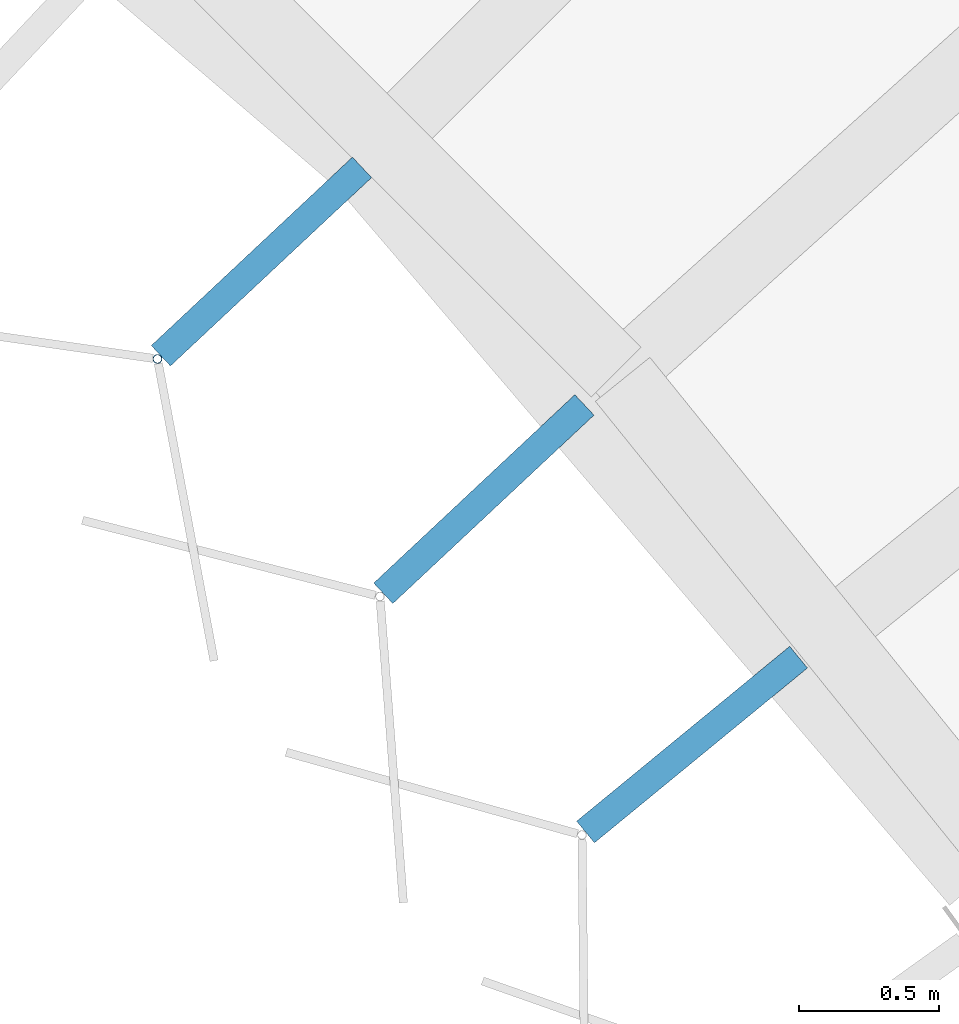
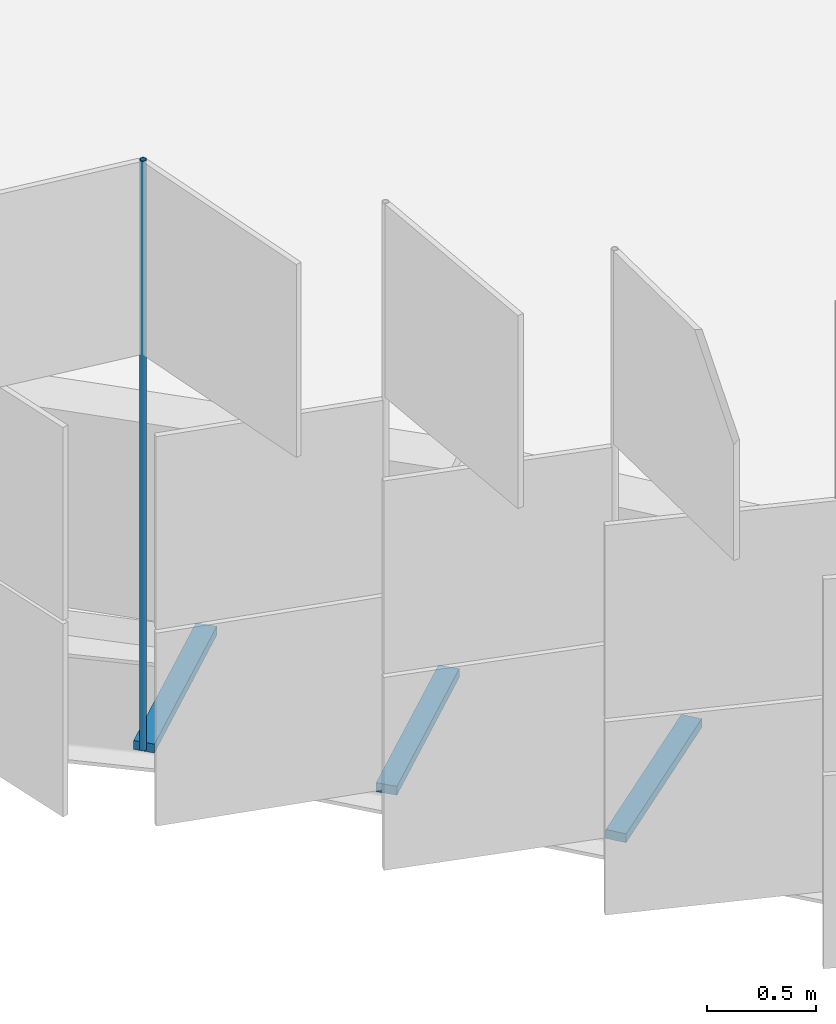
# One storey, part 113 of 198: 4 discrete accessories.
"""IFC4 building model written with IfcOpenShell, lengths in metres."""

from ifc_helpers import new_model, si_unit, direction, frame, origin, origin_2d, place, context, subcontext, project, spatial, rectangle, hollow_circle, extrude, material, material_profile, profile_set, type_object, element, save


model = new_model("IFC4")

# Units and contexts
model_context = context("Model", 3, precision=1e-05, world=origin(), true_north=direction((0.0, 1.0)))
body_context = subcontext(model_context, "Body", "Model", "MODEL_VIEW")
ifc_project = project(units=[si_unit("LENGTHUNIT", "METRE"), si_unit("AREAUNIT", "SQUARE_METRE"), si_unit("VOLUMEUNIT", "CUBIC_METRE"), si_unit("PLANEANGLEUNIT", "RADIAN"), si_unit("MASSUNIT", "GRAM", prefix="KILO")], contexts=[model_context])

# Site, building, storey
site_placement = place(None, origin())
site = spatial("IfcSite", under=ifc_project, at=site_placement, CompositionType="ELEMENT")
building_placement = place(site_placement, origin())
building = spatial("IfcBuilding", under=site, at=building_placement, Name="Parallax Yard Mobility Hub", CompositionType="ELEMENT")
storey_placement = place(building_placement, frame((0.0, 0.0, 6.60009765625)))
storey = spatial("IfcBuildingStorey", under=building, at=storey_placement, Name="L02", CompositionType="ELEMENT", Elevation=6.60009765625)

# Discrete accessories
ifc_material_1 = material(Name="Steel ASTM A36, hot-dip galvanised", Category="steel")
discrete_accessory_type_1 = type_object("IfcDiscreteAccessoryType", Name="Hinge bracket plate 100x50", PredefinedType="BRACKET", material=ifc_material_1)
for number, where, z_axis, x_axis, name in (
    (1, (188.05810546875, 105.566650390625, -0.02490234375), (0.0, 0.0, 1.0), (-0.729864072698, -0.683592302023, 0.0), "Hinge bracket plate bay 20.4 level L02"),
    (2, (188.852294921875, 104.718505859375, -0.02490234375), (0.0, 0.0, 1.0), (-0.729864072698, -0.683592302023, 0.0), "Hinge bracket plate bay 20.5 level L02"),
    (3, (189.595703125, 103.842041015625, -0.02490234375), (0.0, 0.0, 1.0), (-0.773010453363, -0.634393284164, 0.0), "Hinge bracket plate bay 20.6 level L02"),
):
    element("IfcDiscreteAccessory", number, at=place(storey_placement, frame(where, z_axis=z_axis, x_axis=x_axis)), inside=storey, type_object=discrete_accessory_type_1, Name=name, PredefinedType="BRACKET", context=body_context, shape_type="SweptSolid", body=[
        extrude(rectangle(XDim=0.984130859375, YDim=0.10009765625, at=origin_2d()), origin(), (0.0, 0.0, 1.0), 0.050048828125),
    ])
ifc_material_2 = material(Name="Steel ASTM A500 Gr C, hot-dip galvanised", Category="steel")
ifc_material_profile = material_profile(ifc_material_2, hollow_circle(Radius=0.016845703125, WallThickness=0.003173828125, at=origin_2d()), Name="CHS 33.7x3.2")
ifc_profile_set = profile_set([ifc_material_profile], Name="Steel ASTM A500 Gr C, hot-dip galvanised")
discrete_accessory_type_2 = type_object("IfcDiscreteAccessoryType", Name="Hinge post CHS 33.7x3.2", PredefinedType="BRACKET", material=ifc_profile_set)
discrete_accessory_placement = place(storey_placement, frame((187.68701171875, 105.218994140625, 0.0), z_axis=(0.0, 0.0, 1.0), x_axis=(1.0, 0.0, 0.0)))
element("IfcDiscreteAccessory", 4, at=discrete_accessory_placement, inside=storey, type_object=discrete_accessory_type_2, Name="Hinge post bay 20.4 level L02", PredefinedType="BRACKET", context=body_context, shape_type="SweptSolid", body=[
    extrude(hollow_circle(Radius=0.016845703125, WallThickness=0.003173828125, at=origin_2d()), origin(), (0.0, 0.0, 1.0), 3.2998046875),
])

save(model, "model.ifc")
